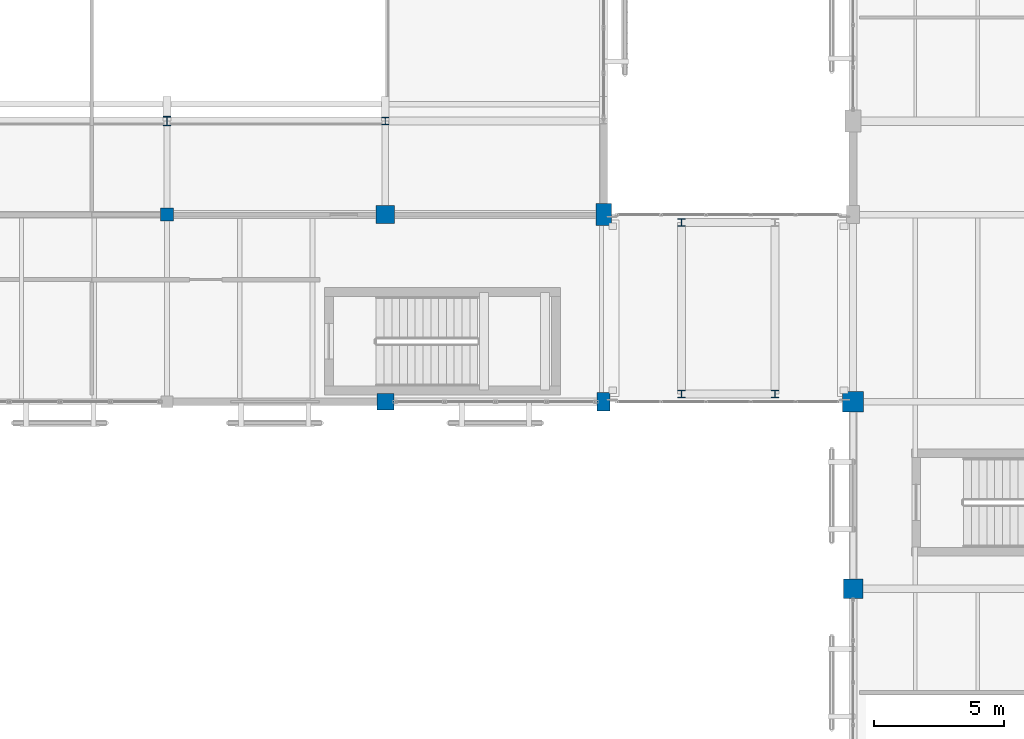
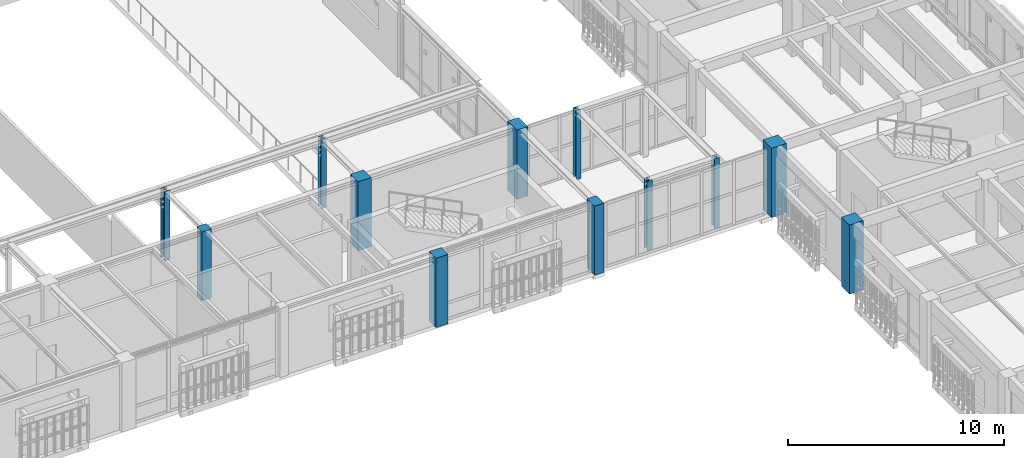
# One storey, part 13 of 170: 12 columns.
"""IFC4 building model written with IfcOpenShell, lengths in metres."""

from ifc_helpers import new_model, si_unit, direction, frame, origin, origin_2d, place, context, subcontext, project, spatial, rectangle, i_section, extrude, material, material_profile, profile_set, type_object, element, save


model = new_model("IFC4")

# Units and contexts
model_context = context("Model", 3, precision=1e-05, world=origin(), true_north=direction((0.0, 1.0)))
body_context = subcontext(model_context, "Body", "Model", "MODEL_VIEW")
ifc_project = project(units=[si_unit("LENGTHUNIT", "METRE"), si_unit("AREAUNIT", "SQUARE_METRE"), si_unit("VOLUMEUNIT", "CUBIC_METRE"), si_unit("PLANEANGLEUNIT", "RADIAN"), si_unit("MASSUNIT", "GRAM", prefix="KILO")], contexts=[model_context])

# Site, building, storey
site_placement = place(None, origin())
site = spatial("IfcSite", under=ifc_project, at=site_placement, CompositionType="ELEMENT")
building_placement = place(site_placement, origin())
building = spatial("IfcBuilding", under=site, at=building_placement, Name="Mazaris Harbour Polytechnic", CompositionType="ELEMENT")
storey_placement = place(building_placement, frame((0.0, 0.0, 5.39990234375)))
storey = spatial("IfcBuildingStorey", under=building, at=storey_placement, Name="L01", CompositionType="ELEMENT", Elevation=5.39990234375)

# Columns
ifc_material_1 = material(Name="Concrete C40/50", Category="concrete")
ifc_material_profile_1 = material_profile(ifc_material_1, rectangle(XDim=0.5, YDim=0.5, at=origin_2d()), Name="RECT500x500")
ifc_profile_set_1 = profile_set([ifc_material_profile_1], Name="Concrete C40/50")
column_type_1 = type_object("IfcColumnType", Name="RC Column 500x500", PredefinedType="COLUMN", material=ifc_profile_set_1)
column_1_placement = place(storey_placement, frame((96.0, 82.800048828125, 0.0), z_axis=(0.0, 0.0, 1.0), x_axis=(1.0, 0.0, 0.0)))
element("IfcColumn", 1, at=column_1_placement, inside=storey, type_object=column_type_1, Name="V1 L01 Column 140", PredefinedType="COLUMN", context=body_context, shape_type="SweptSolid", body=[
    extrude(rectangle(XDim=0.5, YDim=0.5, at=origin_2d()), origin(), (0.0, 0.0, 1.0), 3.920166015625),
])
ifc_material_2 = material(Name="Concrete C40/50", Category="concrete")
ifc_material_profile_2 = material_profile(ifc_material_2, rectangle(XDim=0.5, YDim=0.699951171875, at=origin_2d()), Name="RECT500x700")
ifc_profile_set_2 = profile_set([ifc_material_profile_2], Name="Concrete C40/50")
column_type_2 = type_object("IfcColumnType", Name="RC Column 500x700 Exterior", PredefinedType="COLUMN", material=ifc_profile_set_2)
column_2_placement = place(storey_placement, frame((112.800048828125, 75.60009765625, 0.0), z_axis=(0.0, 0.0, 1.0), x_axis=(1.0, 0.0, 0.0)))
element("IfcColumn", 2, at=column_2_placement, inside=storey, type_object=column_type_2, Name="V1 L01 Column 147", PredefinedType="COLUMN", context=body_context, shape_type="SweptSolid", body=[
    extrude(rectangle(XDim=0.5, YDim=0.699951171875, at=origin_2d()), origin(), (0.0, 0.0, 1.0), 3.920166015625),
])
ifc_material_3 = material(Name="Concrete C40/50", Category="concrete")
ifc_material_profile_3 = material_profile(ifc_material_3, rectangle(XDim=0.60009765625, YDim=0.85009765625, at=origin_2d()), Name="RECT600x850")
ifc_profile_set_3 = profile_set([ifc_material_profile_3], Name="Concrete C40/50")
column_type_3 = type_object("IfcColumnType", Name="RC Column 600x850 Exterior", PredefinedType="COLUMN", material=ifc_profile_set_3)
column_3_placement = place(storey_placement, frame((112.800048828125, 82.800048828125, 0.0), z_axis=(0.0, 0.0, 1.0), x_axis=(1.0, 0.0, 0.0)))
element("IfcColumn", 3, at=column_3_placement, inside=storey, type_object=column_type_3, Name="V1 L01 Column 148", PredefinedType="COLUMN", context=body_context, shape_type="SweptSolid", body=[
    extrude(rectangle(XDim=0.60009765625, YDim=0.85009765625, at=origin_2d()), origin(), (0.0, 0.0, 1.0), 3.920166015625),
])
ifc_material_4 = material(Name="Concrete C40/50", Category="concrete")
ifc_material_profile_4 = material_profile(ifc_material_4, rectangle(XDim=0.64990234375, YDim=0.64990234375, at=origin_2d()), Name="RECT650x650")
ifc_profile_set_4 = profile_set([ifc_material_profile_4], Name="Concrete C40/50")
column_type_4 = type_object("IfcColumnType", Name="RC Column 650x650 Exterior", PredefinedType="COLUMN", material=ifc_profile_set_4)
column_4_placement = place(storey_placement, frame((104.39990234375, 75.60009765625, 0.0), z_axis=(0.0, 0.0, 1.0), x_axis=(1.0, 0.0, 0.0)))
element("IfcColumn", 4, at=column_4_placement, inside=storey, type_object=column_type_4, Name="V1 L01 Column 143", PredefinedType="COLUMN", context=body_context, shape_type="SweptSolid", body=[
    extrude(rectangle(XDim=0.64990234375, YDim=0.64990234375, at=origin_2d()), origin(), (0.0, 0.0, 1.0), 3.920166015625),
])
ifc_material_5 = material(Name="Concrete C40/50", Category="concrete")
ifc_material_profile_5 = material_profile(ifc_material_5, rectangle(XDim=0.699951171875, YDim=0.699951171875, at=origin_2d()), Name="RECT700x700")
ifc_profile_set_5 = profile_set([ifc_material_profile_5], Name="Concrete C40/50")
column_type_5 = type_object("IfcColumnType", Name="RC Column 700x700", PredefinedType="COLUMN", material=ifc_profile_set_5)
column_5_placement = place(storey_placement, frame((104.39990234375, 82.800048828125, 0.0), z_axis=(0.0, 0.0, 1.0), x_axis=(1.0, 0.0, 0.0)))
element("IfcColumn", 5, at=column_5_placement, inside=storey, type_object=column_type_5, Name="V1 L01 Column 144", PredefinedType="COLUMN", context=body_context, shape_type="SweptSolid", body=[
    extrude(rectangle(XDim=0.699951171875, YDim=0.699951171875, at=origin_2d()), origin(), (0.0, 0.0, 1.0), 3.920166015625),
])
ifc_material_6 = material(Name="Concrete C40/50", Category="concrete")
ifc_material_profile_6 = material_profile(ifc_material_6, rectangle(XDim=0.75, YDim=0.75, at=origin_2d()), Name="RECT750x750")
ifc_profile_set_6 = profile_set([ifc_material_profile_6], Name="Concrete C40/50")
column_type_6 = type_object("IfcColumnType", Name="RC Column 750x750 Exterior", PredefinedType="COLUMN", material=ifc_profile_set_6)
column_6_placement = place(storey_placement, frame((122.39990234375, 68.39990234375, 0.0), z_axis=(0.0, 0.0, 1.0), x_axis=(1.0, 0.0, 0.0)))
element("IfcColumn", 6, at=column_6_placement, inside=storey, type_object=column_type_6, Name="V5 L01 Column 1255", PredefinedType="COLUMN", context=body_context, shape_type="SweptSolid", body=[
    extrude(rectangle(XDim=0.75, YDim=0.75, at=origin_2d()), origin(), (0.0, 0.0, 1.0), 3.920166015625),
])
ifc_material_7 = material(Name="Concrete C40/50", Category="concrete")
ifc_material_profile_7 = material_profile(ifc_material_7, rectangle(XDim=0.800048828125, YDim=0.800048828125, at=origin_2d()), Name="RECT800x800")
ifc_profile_set_7 = profile_set([ifc_material_profile_7], Name="Concrete C40/50")
column_type_7 = type_object("IfcColumnType", Name="RC Column 800x800 Exterior", PredefinedType="COLUMN", material=ifc_profile_set_7)
column_7_placement = place(storey_placement, frame((122.39990234375, 75.60009765625, 0.0), z_axis=(0.0, 0.0, 1.0), x_axis=(1.0, 0.0, 0.0)))
element("IfcColumn", 7, at=column_7_placement, inside=storey, type_object=column_type_7, Name="V5 L01 Column 1256", PredefinedType="COLUMN", context=body_context, shape_type="SweptSolid", body=[
    extrude(rectangle(XDim=0.800048828125, YDim=0.800048828125, at=origin_2d()), origin(), (0.0, 0.0, 1.0), 3.920166015625),
])
ifc_material_8 = material(Name="Steel S355", Category="steel")
ifc_material_profile_8 = material_profile(ifc_material_8, i_section(OverallWidth=0.280029296875, OverallDepth=0.280029296875, WebThickness=0.010498046875, FlangeThickness=0.01806640625, FilletRadius=0.02392578125, at=origin_2d()), Name="HEB 280")
ifc_profile_set_8 = profile_set([ifc_material_profile_8], Name="Steel S355")
column_type_8 = type_object("IfcColumnType", Name="Steel Column HEB280", PredefinedType="COLUMN", material=ifc_profile_set_8)
column_8_placement = place(storey_placement, frame((104.39990234375, 86.39990234375, 0.0), z_axis=(0.0, 0.0, 1.0), x_axis=(1.0, 0.0, 0.0)))
element("IfcColumn", 8, at=column_8_placement, inside=storey, type_object=column_type_8, Name="V1 L01 Column 145", PredefinedType="COLUMN", context=body_context, shape_type="SweptSolid", body=[
    extrude(i_section(OverallWidth=0.280029296875, OverallDepth=0.280029296875, WebThickness=0.010498046875, FlangeThickness=0.01806640625, FilletRadius=0.02392578125, at=origin_2d()), origin(), (0.0, 0.0, 1.0), 3.920166015625),
])
ifc_material_9 = material(Name="Steel S355", Category="steel")
ifc_material_profile_9 = material_profile(ifc_material_9, i_section(OverallWidth=0.280029296875, OverallDepth=0.280029296875, WebThickness=0.010498046875, FlangeThickness=0.01806640625, FilletRadius=0.02392578125, at=origin_2d()), Name="HEB 280")
ifc_profile_set_9 = profile_set([ifc_material_profile_9], Name="Steel S355")
column_type_9 = type_object("IfcColumnType", Name="Steel Column HEB280 Exterior", PredefinedType="COLUMN", material=ifc_profile_set_9)
for number, where, z_axis, x_axis, name in (
    (9, (115.800048828125, 75.89990234375, 0.0), (0.0, 0.0, 1.0), (1.0, 0.0, 0.0), "PB-E2 L01 Bridge Column 1572"),
    (10, (119.39990234375, 75.89990234375, 0.0), (0.0, 0.0, 1.0), (1.0, 0.0, 0.0), "PB-E2 L01 Bridge Column 1573"),
    (11, (115.800048828125, 82.5, 0.0), (0.0, 0.0, 1.0), (1.0, 0.0, 0.0), "PB-E2 L01 Bridge Column 1574"),
):
    element("IfcColumn", number, at=place(storey_placement, frame(where, z_axis=z_axis, x_axis=x_axis)), inside=storey, type_object=column_type_9, Name=name, PredefinedType="COLUMN", context=body_context, shape_type="SweptSolid", body=[
        extrude(i_section(OverallWidth=0.280029296875, OverallDepth=0.280029296875, WebThickness=0.010498046875, FlangeThickness=0.01806640625, FilletRadius=0.02392578125, at=origin_2d()), origin(), (0.0, 0.0, 1.0), 3.93505859375),
    ])
ifc_material_10 = material(Name="Steel S355", Category="steel")
ifc_material_profile_10 = material_profile(ifc_material_10, i_section(OverallWidth=0.300048828125, OverallDepth=0.360107421875, WebThickness=0.012451171875, FlangeThickness=0.0224609375, FilletRadius=0.027099609375, at=origin_2d()), Name="HEB 360")
ifc_profile_set_10 = profile_set([ifc_material_profile_10], Name="Steel S355")
column_type_10 = type_object("IfcColumnType", Name="Steel Column HEB360", PredefinedType="COLUMN", material=ifc_profile_set_10)
column_9_placement = place(storey_placement, frame((96.0, 86.39990234375, 0.0), z_axis=(0.0, 0.0, 1.0), x_axis=(1.0, 0.0, 0.0)))
element("IfcColumn", 12, at=column_9_placement, inside=storey, type_object=column_type_10, Name="V1 L01 Column 141", PredefinedType="COLUMN", context=body_context, shape_type="SweptSolid", body=[
    extrude(i_section(OverallWidth=0.300048828125, OverallDepth=0.360107421875, WebThickness=0.012451171875, FlangeThickness=0.0224609375, FilletRadius=0.027099609375, at=origin_2d()), origin(), (0.0, 0.0, 1.0), 3.920166015625),
])

save(model, "model.ifc")
